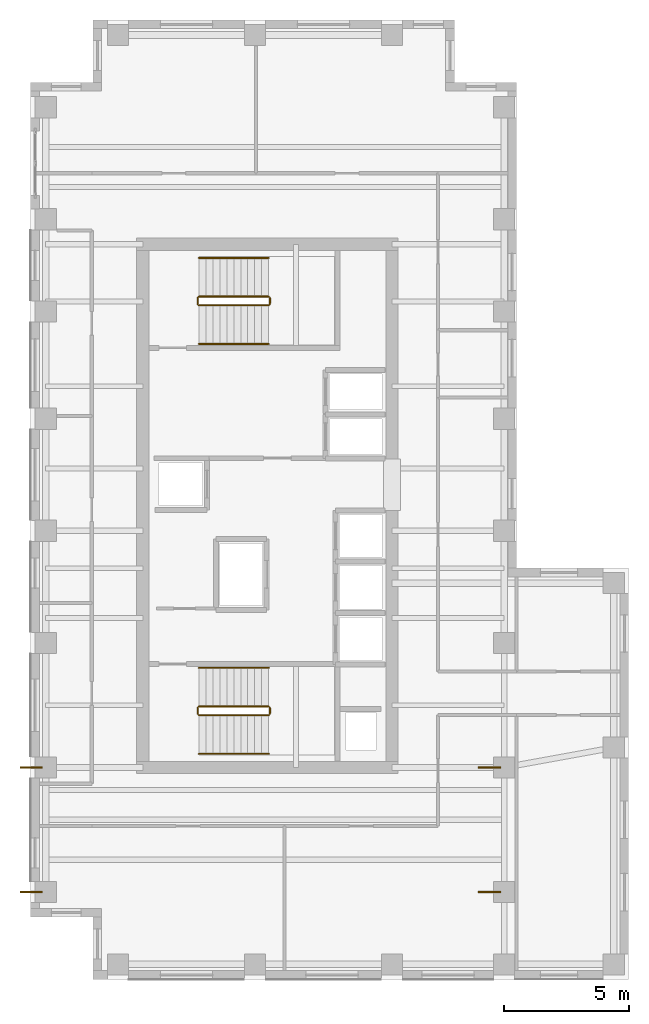
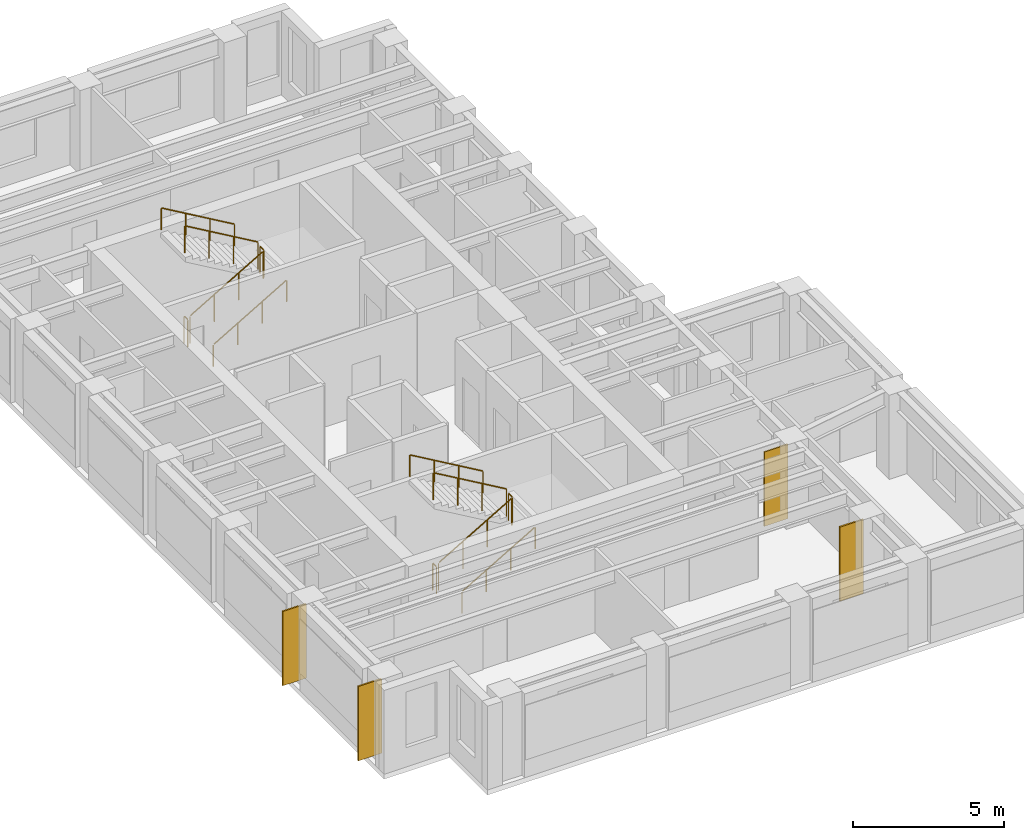
# One storey, part 10 of 10: 12 railings, 4 coverings.
"""IFC4 building model written with IfcOpenShell, lengths in metres."""

from ifc_helpers import new_model, si_unit, direction, frame, origin, origin_2d, place, context, subcontext, project, spatial, rectangle, circle, extrude, source, transform, mapped, material, layer, layer_set, type_object, element, save


model = new_model("IFC4")

# Units and contexts
model_context = context("Model", 3, precision=1e-05, world=origin(), true_north=direction((0.0, 1.0)))
body_context = subcontext(model_context, "Body", "Model", "MODEL_VIEW")
ifc_project = project(units=[si_unit("LENGTHUNIT", "METRE"), si_unit("AREAUNIT", "SQUARE_METRE"), si_unit("VOLUMEUNIT", "CUBIC_METRE"), si_unit("PLANEANGLEUNIT", "RADIAN"), si_unit("MASSUNIT", "GRAM", prefix="KILO")], contexts=[model_context])

# Site, building, storey
site_placement = place(None, origin())
site = spatial("IfcSite", under=ifc_project, at=site_placement, CompositionType="ELEMENT")
building_placement = place(site_placement, origin())
building = spatial("IfcBuilding", under=site, at=building_placement, Name="Kharzan Plaza Tower", CompositionType="ELEMENT")
storey_placement = place(building_placement, frame((0.0, 0.0, 266.39990234375)))
storey = spatial("IfcBuildingStorey", under=building, at=storey_placement, Name="L72", CompositionType="ELEMENT", Elevation=266.39990234375)

# Railings
ifc_material_1 = material(Name="Painted Galvanized Architectural Steel", Category="steel")
ifc_layer_1 = layer(ifc_material_1, 0.074951171875)
ifc_layer_set_1 = layer_set([ifc_layer_1], Name="Painted Galvanized Architectural Steel")
railing_type_1 = type_object("IfcRailingType", Name="RL-GUARD-1120", PredefinedType="BALUSTRADE", material=ifc_layer_set_1)
shared_shape_1 = source(origin(), body_context, "Body", "SweptSolid", [
    extrude(circle(Radius=0.02392578125, at=origin_2d()), frame((0.0, 0.0263671875, 1.09619140625), z_axis=(0.0, 1.0, 0.0), x_axis=(-1.0, 0.0, 0.0)), (0.0, 0.0, 1.0), 0.197021484375),
    extrude(circle(Radius=0.02099609375, at=origin_2d()), origin(), (0.0, 0.0, 1.0), 1.072021484375),
    extrude(circle(Radius=0.02099609375, at=origin_2d()), frame((0.0, 0.25, 0.0)), (0.0, 0.0, 1.0), 1.072021484375),
])
for number, where, name in (
    (1, (9.60009765625, 10.64990234375, 1.800048828125), "L72 ST-1 stair guard 2"),
    (2, (6.699951171875, 10.64990234375, 0.0), "L72 ST-1 stair guard 4"),
    (3, (9.60009765625, 27.10009765625, 1.800048828125), "L72 ST-2 stair guard 2"),
    (4, (6.699951171875, 27.10009765625, 0.0), "L72 ST-2 stair guard 4"),
):
    element("IfcRailing", number, at=place(storey_placement, frame(where)), inside=storey, type_object=railing_type_1, Name=name, PredefinedType="BALUSTRADE", context=body_context, shape_type="MappedRepresentation", body=[
        mapped(shared_shape_1, transform((0.0, 0.0, 0.0), x_axis=(1.0, 0.0, 0.0), y_axis=(0.0, 1.0, 0.0), z_axis=(0.0, 0.0, 1.0))),
    ])

# Coverings
ifc_material_2 = material(Name="Honed Riyadh Limestone", Category="masonry")
ifc_layer_2 = layer(ifc_material_2, 0.06005859375)
ifc_layer_set_2 = layer_set([ifc_layer_2], Name="Honed Riyadh Limestone")
covering_type = type_object("IfcCoveringType", Name="COV-CLAD-STONE", PredefinedType="CLADDING", material=ifc_layer_set_2)
shared_shape_2 = source(origin(), body_context, "Body", "SweptSolid", [
    extrude(rectangle(XDim=0.06005859375, YDim=0.89990234375, at=origin_2d()), origin(), (0.0, 0.0, 1.0), 3.0),
])
for number, where, z_axis, x_axis, name in (
    (5, (18.419921875, 3.5, 0.10009765625), (0.0, 0.0, 1.0), (0.0, 1.0, 0.0), "L72 Limestone Pier Rainscreen Cladding TCA-35"),
    (6, (18.419921875, 8.5, 0.10009765625), (0.0, 0.0, 1.0), (0.0, 1.0, 0.0), "L72 Limestone Pier Rainscreen Cladding TCA-85"),
    (7, (0.02001953125, 3.5, 0.10009765625), (0.0, 0.0, 1.0), (0.0, 1.0, 0.0), "L72 Limestone Pier Rainscreen Cladding TCW-35"),
    (8, (0.02001953125, 8.5, 0.10009765625), (0.0, 0.0, 1.0), (0.0, 1.0, 0.0), "L72 Limestone Pier Rainscreen Cladding TCW-85"),
):
    element("IfcCovering", number, at=place(storey_placement, frame(where, z_axis=z_axis, x_axis=x_axis)), inside=storey, type_object=covering_type, Name=name, PredefinedType="CLADDING", context=body_context, shape_type="MappedRepresentation", body=[
        mapped(shared_shape_2, transform((0.0, 0.0, 0.0), x_axis=(1.0, 0.0, 0.0), y_axis=(0.0, 1.0, 0.0), z_axis=(0.0, 0.0, 1.0))),
    ])

# Railings
shared_shape_3 = source(origin(), body_context, "Body", "SweptSolid", [
    extrude(circle(Radius=0.02392578125, at=origin_2d()), frame((-0.02294921875, 0.0, 1.109375), z_axis=(-0.863360870873, 0.0, 0.504586966384), x_axis=(0.0, -1.0, 0.0)), (0.0, 0.0, 1.0), 3.190185546875),
    extrude(circle(Radius=0.02099609375, at=origin_2d()), origin(), (0.0, 0.0, 1.0), 1.072021484375),
    extrude(circle(Radius=0.02099609375, at=origin_2d()), frame((-0.933349609375, 0.0, 0.54541015625)), (0.0, 0.0, 1.0), 1.072021484375),
    extrude(circle(Radius=0.02099609375, at=origin_2d()), frame((-1.86669921875, 0.0, 1.091064453125)), (0.0, 0.0, 1.0), 1.072021484375),
    extrude(circle(Radius=0.02099609375, at=origin_2d()), frame((-2.800048828125, 0.0, 1.636474609375)), (0.0, 0.0, 1.0), 1.072021484375),
])
for number, where, name in (
    (9, (9.550048828125, 10.949951171875, 1.963623046875), "L72 ST-1 stair guard 3"),
    (10, (9.550048828125, 27.39990234375, 1.963623046875), "L72 ST-2 stair guard 3"),
):
    element("IfcRailing", number, at=place(storey_placement, frame(where)), inside=storey, type_object=railing_type_1, Name=name, PredefinedType="BALUSTRADE", context=body_context, shape_type="MappedRepresentation", body=[
        mapped(shared_shape_3, transform((0.0, 0.0, 0.0), x_axis=(1.0, 0.0, 0.0), y_axis=(0.0, 1.0, 0.0), z_axis=(0.0, 0.0, 1.0))),
    ])
ifc_material_3 = material(Name="Brushed Stainless Steel", Category="steel")
ifc_layer_3 = layer(ifc_material_3, 0.050048828125)
ifc_layer_set_3 = layer_set([ifc_layer_3], Name="Brushed Stainless Steel")
railing_type_2 = type_object("IfcRailingType", Name="RL-STAIR-HR920", PredefinedType="HANDRAIL", material=ifc_layer_set_3)
shared_shape_4 = source(origin(), body_context, "Body", "SweptSolid", [
    extrude(circle(Radius=0.02392578125, at=origin_2d()), frame((-0.02294921875, 0.0, 0.88916015625), z_axis=(-0.863360870873, 0.0, 0.504586966384), x_axis=(0.0, -1.0, 0.0)), (0.0, 0.0, 1.0), 3.190185546875),
    extrude(circle(Radius=0.02099609375, at=origin_2d()), origin(), (0.0, 0.0, 1.0), 0.851806640625),
    extrude(circle(Radius=0.02099609375, at=origin_2d()), frame((-0.933349609375, 0.0, 0.54541015625)), (0.0, 0.0, 1.0), 0.851806640625),
    extrude(circle(Radius=0.02099609375, at=origin_2d()), frame((-1.86669921875, 0.0, 1.091064453125)), (0.0, 0.0, 1.0), 0.851806640625),
    extrude(circle(Radius=0.02099609375, at=origin_2d()), frame((-2.800048828125, 0.0, 1.636474609375)), (0.0, 0.0, 1.0), 0.851806640625),
])
for number, where, name in (
    (11, (9.550048828125, 12.5, 1.963623046875), "L72 ST-1 stair handrail 2"),
    (12, (9.550048828125, 28.949951171875, 1.963623046875), "L72 ST-2 stair handrail 2"),
):
    element("IfcRailing", number, at=place(storey_placement, frame(where)), inside=storey, type_object=railing_type_2, Name=name, PredefinedType="HANDRAIL", context=body_context, shape_type="MappedRepresentation", body=[
        mapped(shared_shape_4, transform((0.0, 0.0, 0.0), x_axis=(1.0, 0.0, 0.0), y_axis=(0.0, 1.0, 0.0), z_axis=(0.0, 0.0, 1.0))),
    ])
shared_shape_5 = source(origin(), body_context, "Body", "SweptSolid", [
    extrude(circle(Radius=0.02392578125, at=origin_2d()), frame((0.02294921875, 0.0, 1.109375), z_axis=(0.863393664356, 0.0, 0.504530851732), x_axis=(0.0, 1.0, 0.0)), (0.0, 0.0, 1.0), 3.190185546875),
    extrude(circle(Radius=0.02099609375, at=origin_2d()), origin(), (0.0, 0.0, 1.0), 1.072021484375),
    extrude(circle(Radius=0.02099609375, at=origin_2d()), frame((0.933349609375, 0.0, 0.54541015625)), (0.0, 0.0, 1.0), 1.072021484375),
    extrude(circle(Radius=0.02099609375, at=origin_2d()), frame((1.86669921875, 0.0, 1.0908203125)), (0.0, 0.0, 1.0), 1.072021484375),
    extrude(circle(Radius=0.02099609375, at=origin_2d()), frame((2.800048828125, 0.0, 1.63623046875)), (0.0, 0.0, 1.0), 1.072021484375),
])
for number, where, name in (
    (13, (6.75, 10.60009765625, 0.163818359375), "L72 ST-1 stair guard 1"),
    (14, (6.75, 27.050048828125, 0.163818359375), "L72 ST-2 stair guard 1"),
):
    element("IfcRailing", number, at=place(storey_placement, frame(where)), inside=storey, type_object=railing_type_1, Name=name, PredefinedType="BALUSTRADE", context=body_context, shape_type="MappedRepresentation", body=[
        mapped(shared_shape_5, transform((0.0, 0.0, 0.0), x_axis=(1.0, 0.0, 0.0), y_axis=(0.0, 1.0, 0.0), z_axis=(0.0, 0.0, 1.0))),
    ])
shared_shape_6 = source(origin(), body_context, "Body", "SweptSolid", [
    extrude(circle(Radius=0.02392578125, at=origin_2d()), frame((0.02294921875, 0.0, 0.88916015625), z_axis=(0.863393664356, 0.0, 0.504530851732), x_axis=(0.0, 1.0, 0.0)), (0.0, 0.0, 1.0), 3.190185546875),
    extrude(circle(Radius=0.02099609375, at=origin_2d()), origin(), (0.0, 0.0, 1.0), 0.851806640625),
    extrude(circle(Radius=0.02099609375, at=origin_2d()), frame((0.933349609375, 0.0, 0.54541015625)), (0.0, 0.0, 1.0), 0.851806640625),
    extrude(circle(Radius=0.02099609375, at=origin_2d()), frame((1.86669921875, 0.0, 1.0908203125)), (0.0, 0.0, 1.0), 0.851806640625),
    extrude(circle(Radius=0.02099609375, at=origin_2d()), frame((2.800048828125, 0.0, 1.63623046875)), (0.0, 0.0, 1.0), 0.851806640625),
])
for number, where, name in (
    (15, (6.75, 9.050048828125, 0.163818359375), "L72 ST-1 stair handrail 1"),
    (16, (6.75, 25.5, 0.163818359375), "L72 ST-2 stair handrail 1"),
):
    element("IfcRailing", number, at=place(storey_placement, frame(where)), inside=storey, type_object=railing_type_2, Name=name, PredefinedType="HANDRAIL", context=body_context, shape_type="MappedRepresentation", body=[
        mapped(shared_shape_6, transform((0.0, 0.0, 0.0), x_axis=(1.0, 0.0, 0.0), y_axis=(0.0, 1.0, 0.0), z_axis=(0.0, 0.0, 1.0))),
    ])

save(model, "model.ifc")
